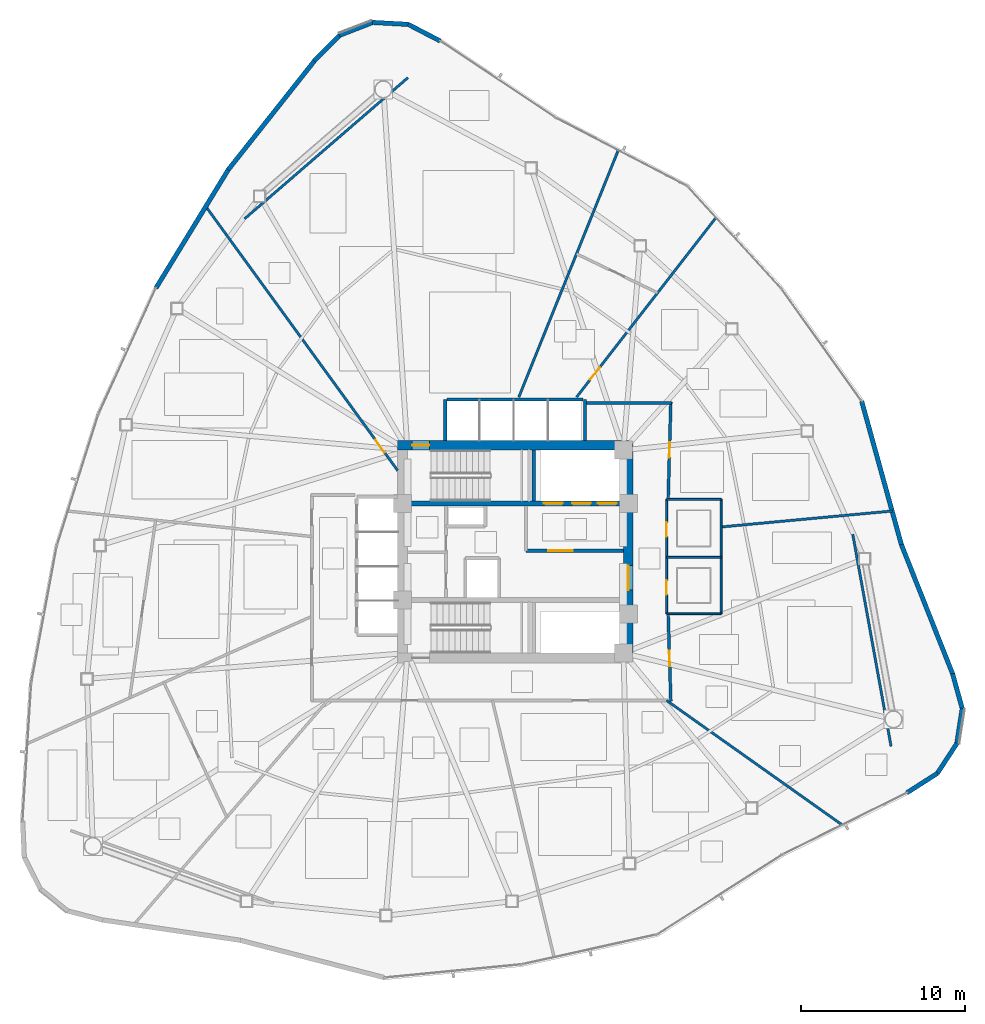
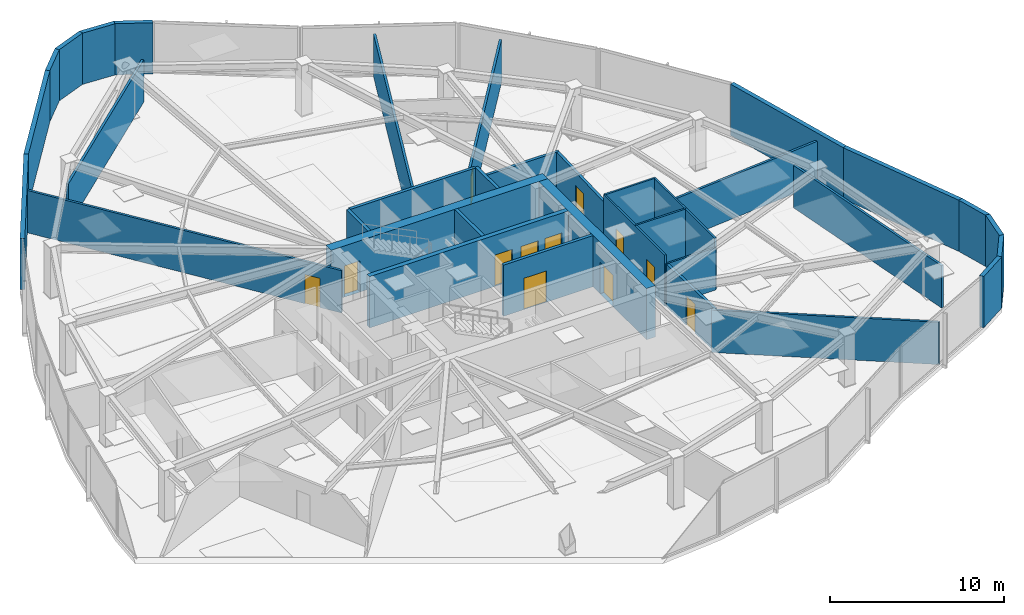
# One storey, part 13 of 18: 35 walls, 12 doors, 12 openings.
"""IFC4 building model written with IfcOpenShell, lengths in metres."""

from ifc_helpers import new_model, si_unit, direction, frame, frame_2d, origin, place, context, subcontext, project, spatial, rectangle, extrude, material, layer, layer_set, type_object, element, fill, save


model = new_model("IFC4")

# Units and contexts
model_context = context("Model", 3, precision=1e-05, world=origin(), true_north=direction((0.0, 1.0)))
body_context = subcontext(model_context, "Body", "Model", "MODEL_VIEW")
ifc_project = project(units=[si_unit("LENGTHUNIT", "METRE"), si_unit("AREAUNIT", "SQUARE_METRE"), si_unit("VOLUMEUNIT", "CUBIC_METRE"), si_unit("PLANEANGLEUNIT", "RADIAN"), si_unit("MASSUNIT", "GRAM", prefix="KILO")], contexts=[model_context])

# Site, building, storey
site_placement = place(None, origin())
site = spatial("IfcSite", under=ifc_project, at=site_placement, CompositionType="ELEMENT")
building_placement = place(site_placement, origin())
building = spatial("IfcBuilding", under=site, at=building_placement, Name="Tavelor Broadcast Tower", CompositionType="ELEMENT")
storey_placement = place(building_placement, frame((0.0, 0.0, 62.699951171875)))
storey = spatial("IfcBuildingStorey", under=building, at=storey_placement, Name="L14", CompositionType="ELEMENT", Elevation=62.699951171875)

# Wall, opening, door
ifc_material_1 = material(Name="Concrete C60/75", Category="concrete")
ifc_layer_1 = layer(ifc_material_1, 0.60009765625)
ifc_layer_set_1 = layer_set([ifc_layer_1], Name="Concrete C60/75")
wall_type_1 = type_object("IfcWallType", Name="Core Shear Wall 600 mm", PredefinedType="SHEAR", material=ifc_layer_set_1)
wall_1_placement = place(storey_placement, frame((42.800048828125, 51.5, 0.0), z_axis=(0.0, 0.0, 1.0), x_axis=(1.0, 0.0, 0.0)))
wall_1 = element("IfcWall", 1, at=wall_1_placement, inside=storey, type_object=wall_type_1, Name="L14 Central Core Shear Wall N", PredefinedType="SHEAR", context=body_context, shape_type="SweptSolid", body=[
    extrude(rectangle(XDim=14.39990234375, YDim=0.60009765625, at=frame_2d((7.199951171875, 0.0))), origin(), (0.0, 0.0, 1.0), 3.60009765625),
])
opening_1_placement = place(wall_1_placement, frame((0.8798828125, 0.0, 0.0)))
opening_1 = element("IfcOpeningElement", 2, at=opening_1_placement, cuts=wall_1, Name="Opening DR11", PredefinedType="OPENING", context=body_context, shape_type="SweptSolid", body=[
    extrude(rectangle(XDim=1.050048828125, YDim=2.199951171875, at=frame_2d((0.52490234375, 1.10009765625))), frame((0.0, 0.31005859375, 0.0), z_axis=(0.0, -1.0, 0.0), x_axis=(1.0, 0.0, 0.0)), (0.0, 0.0, 1.0), 0.6201171875),
])
ifc_material_2 = material(Name="Steel S355", Category="steel")
door_type_1 = type_object("IfcDoorType", Name="Stair Core Fire Escape Door 1050x2200", OperationType="NOTDEFINED", PredefinedType="DOOR", material=ifc_material_2)
door_1_placement = place(opening_1_placement, origin())
door_1 = element("IfcDoor", 3, at=door_1_placement, inside=storey, type_object=door_type_1, Name="L14 Stair ST1 Protected Exit Door", OperationType="SINGLE_SWING_LEFT", OverallHeight=2.199951171875, OverallWidth=1.050048828125, PredefinedType="DOOR", context=body_context, shape_type="SweptSolid", body=[
    extrude(rectangle(XDim=1.050048828125, YDim=2.199951171875, at=frame_2d((0.52490234375, 1.10009765625))), frame((0.0, 0.02490234375, 0.0), z_axis=(0.0, -1.0, 0.0), x_axis=(1.0, 0.0, 0.0)), (0.0, 0.0, 1.0), 0.050048828125),
])
fill(opening_1, door_1)

wall_2_placement = place(storey_placement, frame((56.89990234375, 38.800048828125, 0.0), z_axis=(0.0, 0.0, 1.0), x_axis=(0.0, 1.0, 0.0)))
wall_2 = element("IfcWall", 4, at=wall_2_placement, inside=storey, type_object=wall_type_1, Name="L14 Central Core Shear Wall E", PredefinedType="SHEAR", context=body_context, shape_type="SweptSolid", body=[
    extrude(rectangle(XDim=12.39990234375, YDim=0.60009765625, at=frame_2d((6.199951171875, 0.0))), origin(), (0.0, 0.0, 1.0), 3.60009765625),
])
opening_2_placement = place(wall_2_placement, frame((3.85009765625, 0.0, 0.0)))
opening_2 = element("IfcOpeningElement", 5, at=opening_2_placement, cuts=wall_2, Name="Opening DR14", PredefinedType="OPENING", context=body_context, shape_type="SweptSolid", body=[
    extrude(rectangle(XDim=1.5, YDim=2.199951171875, at=frame_2d((0.75, 1.10009765625))), frame((0.0, 0.31005859375, 0.0), z_axis=(0.0, -1.0, 0.0), x_axis=(1.0, 0.0, 0.0)), (0.0, 0.0, 1.0), 0.6201171875),
])
door_type_2 = type_object("IfcDoorType", Name="Firefighting Lobby Double Fire Door 1500x2200", OperationType="NOTDEFINED", PredefinedType="DOOR", material=ifc_material_2)
door_2_placement = place(opening_2_placement, origin())
door_2 = element("IfcDoor", 6, at=door_2_placement, inside=storey, type_object=door_type_2, Name="L14 Central Core Lobby Fire Door", OperationType="SINGLE_SWING_RIGHT", OverallHeight=2.199951171875, OverallWidth=1.5, PredefinedType="DOOR", context=body_context, shape_type="SweptSolid", body=[
    extrude(rectangle(XDim=1.5, YDim=2.199951171875, at=frame_2d((0.75, 1.10009765625))), frame((0.0, 0.02490234375, 0.0), z_axis=(0.0, -1.0, 0.0), x_axis=(1.0, 0.0, 0.0)), (0.0, 0.0, 1.0), 0.050048828125),
])
fill(opening_2, door_2)

# Wall, openings, doors
ifc_layer_2 = layer(ifc_material_1, 0.300048828125)
ifc_layer_set_2 = layer_set([ifc_layer_2], Name="Concrete C60/75")
wall_type_2 = type_object("IfcWallType", Name="Core Spine Shear Wall 300 mm C60", PredefinedType="SHEAR", material=ifc_layer_set_2)
wall_3_placement = place(storey_placement, frame((43.39990234375, 47.949951171875, 0.0), z_axis=(0.0, 0.0, 1.0), x_axis=(1.0, 0.0, 0.0)))
wall_3 = element("IfcWall", 7, at=wall_3_placement, inside=storey, type_object=wall_type_2, Name="L14 Central Core Shear Wall SP1", PredefinedType="SHEAR", context=body_context, shape_type="SweptSolid", body=[
    extrude(rectangle(XDim=13.2001953125, YDim=0.300048828125, at=frame_2d((6.60009765625, 0.0))), origin(), (0.0, 0.0, 1.0), 3.60009765625),
])
opening_3_placement = place(wall_3_placement, frame((8.344970703125, 0.0, 0.0)))
opening_3 = element("IfcOpeningElement", 8, at=opening_3_placement, cuts=wall_3, Name="Opening LD02", PredefinedType="OPENING", context=body_context, shape_type="SweptSolid", body=[
    extrude(rectangle(XDim=1.14990234375, YDim=2.199951171875, at=frame_2d((0.574951171875, 1.10009765625))), frame((0.0, 0.16015625, 0.0), z_axis=(0.0, -1.0, 0.0), x_axis=(1.0, 0.0, 0.0)), (0.0, 0.0, 1.0), 0.320068359375),
])
opening_4_placement = place(wall_3_placement, frame((10.06494140625, 0.0, 0.0)))
opening_4 = element("IfcOpeningElement", 9, at=opening_4_placement, cuts=wall_3, Name="Opening LD02", PredefinedType="OPENING", context=body_context, shape_type="SweptSolid", body=[
    extrude(rectangle(XDim=1.14990234375, YDim=2.199951171875, at=frame_2d((0.574951171875, 1.10009765625))), frame((0.0, 0.16015625, 0.0), z_axis=(0.0, -1.0, 0.0), x_axis=(1.0, 0.0, 0.0)), (0.0, 0.0, 1.0), 0.320068359375),
])
opening_5_placement = place(wall_3_placement, frame((11.64501953125, 0.0, 0.0)))
opening_5 = element("IfcOpeningElement", 10, at=opening_5_placement, cuts=wall_3, Name="Opening LD03", PredefinedType="OPENING", context=body_context, shape_type="SweptSolid", body=[
    extrude(rectangle(XDim=1.14990234375, YDim=2.199951171875, at=frame_2d((0.574951171875, 1.10009765625))), frame((0.0, 0.16015625, 0.0), z_axis=(0.0, -1.0, 0.0), x_axis=(1.0, 0.0, 0.0)), (0.0, 0.0, 1.0), 0.320068359375),
])
ifc_material_3 = material(Name="Reinforced Brushed Stainless Steel", Category="concrete")
door_type_3 = type_object("IfcDoorType", Name="Broadcast Goods Lift Sliding Landing Door 1250x2200", OperationType="NOTDEFINED", PredefinedType="DOOR", material=ifc_material_3)
door_3_placement = place(opening_5_placement, origin())
door_3 = element("IfcDoor", 11, at=door_3_placement, inside=storey, type_object=door_type_3, Name="L14 Lift SVL1 Sliding Landing Door", OperationType="SLIDING_TO_LEFT", OverallHeight=2.199951171875, OverallWidth=1.14990234375, PredefinedType="DOOR", context=body_context, shape_type="SweptSolid", body=[
    extrude(rectangle(XDim=1.14990234375, YDim=2.199951171875, at=frame_2d((0.574951171875, 1.10009765625))), frame((0.0, 0.02490234375, 0.0), z_axis=(0.0, -1.0, 0.0), x_axis=(1.0, 0.0, 0.0)), (0.0, 0.0, 1.0), 0.050048828125),
])
fill(opening_5, door_3)
ifc_material_4 = material(Name="Fire-Rated Stainless Steel", Category="steel")
door_type_4 = type_object("IfcDoorType", Name="Firefighting Lift Sliding Landing Door 1200x2200", OperationType="NOTDEFINED", PredefinedType="DOOR", material=ifc_material_4)
door_4_placement = place(opening_3_placement, origin())
door_4 = element("IfcDoor", 12, at=door_4_placement, inside=storey, type_object=door_type_4, Name="L14 Lift FFL1 Sliding Landing Door", OperationType="SLIDING_TO_LEFT", OverallHeight=2.199951171875, OverallWidth=1.14990234375, PredefinedType="DOOR", context=body_context, shape_type="SweptSolid", body=[
    extrude(rectangle(XDim=1.14990234375, YDim=2.199951171875, at=frame_2d((0.574951171875, 1.10009765625))), frame((0.0, 0.02490234375, 0.0), z_axis=(0.0, -1.0, 0.0), x_axis=(1.0, 0.0, 0.0)), (0.0, 0.0, 1.0), 0.050048828125),
])
fill(opening_3, door_4)
door_5_placement = place(opening_4_placement, origin())
door_5 = element("IfcDoor", 13, at=door_5_placement, inside=storey, type_object=door_type_4, Name="L14 Lift FFL2 Sliding Landing Door", OperationType="SLIDING_TO_LEFT", OverallHeight=2.199951171875, OverallWidth=1.14990234375, PredefinedType="DOOR", context=body_context, shape_type="SweptSolid", body=[
    extrude(rectangle(XDim=1.14990234375, YDim=2.199951171875, at=frame_2d((0.574951171875, 1.10009765625))), frame((0.0, 0.02490234375, 0.0), z_axis=(0.0, -1.0, 0.0), x_axis=(1.0, 0.0, 0.0)), (0.0, 0.0, 1.0), 0.050048828125),
])
fill(opening_4, door_5)

# Wall
ifc_material_5 = material(Name="Calcium Silicate Fire Board 180 mm", Category="gypsum")
ifc_layer_3 = layer(ifc_material_5, 0.179931640625)
ifc_layer_set_3 = layer_set([ifc_layer_3], Name="Calcium Silicate Fire Board 180 mm")
wall_type_3 = type_object("IfcWallType", Name="Fire-Rated Corridor Partition Wall 180 mm", PredefinedType="PARTITIONING", material=ifc_layer_set_3)
wall_4_placement = place(storey_placement, frame((54.300048828125, 54.10009765625, 0.0), z_axis=(0.0, 0.0, 1.0), x_axis=(1.0, 0.0, 0.0)))
element("IfcWall", 14, at=wall_4_placement, inside=storey, type_object=wall_type_3, Name="L14 Corridor Compartment Wall 01", PredefinedType="PARTITIONING", context=body_context, shape_type="SweptSolid", body=[
    extrude(rectangle(XDim=5.25, YDim=0.179931640625, at=frame_2d((2.625, 0.0))), origin(), (0.0, 0.0, 1.0), 2.97509765625),
])

# Wall, opening, door
wall_5_placement = place(storey_placement, frame((59.50146484375, 54.14990234375, 0.0), z_axis=(0.0, 0.0, 1.0), x_axis=(-0.027367567602, -0.999625437973, 0.0)))
wall_5 = element("IfcWall", 15, at=wall_5_placement, inside=storey, type_object=wall_type_3, Name="L14 Corridor Compartment Wall 02", PredefinedType="PARTITIONING", context=body_context, shape_type="SweptSolid", body=[
    extrude(rectangle(XDim=5.85205078125, YDim=0.179931640625, at=frame_2d((2.926025390625, 0.0))), origin(), (0.0, 0.0, 1.0), 2.97509765625),
])
opening_6_placement = place(wall_5_placement, frame((2.451171875, 0.0, 0.0)))
opening_6 = element("IfcOpeningElement", 16, at=opening_6_placement, cuts=wall_5, Name="Opening DR18", PredefinedType="OPENING", context=body_context, shape_type="SweptSolid", body=[
    extrude(rectangle(XDim=0.949951171875, YDim=2.050048828125, at=frame_2d((0.47509765625, 1.02490234375))), frame((0.0, 0.10009765625, 0.0), z_axis=(0.0, -1.0, 0.0), x_axis=(1.0, 0.0, 0.0)), (0.0, 0.0, 1.0), 0.199951171875),
])
ifc_material_6 = material(Name="Timber Solid Core Hardwood", Category="wood")
door_type_5 = type_object("IfcDoorType", Name="Corridor Rated Compartment Door 950x2050", OperationType="NOTDEFINED", PredefinedType="DOOR", material=ifc_material_6)
door_6_placement = place(opening_6_placement, origin())
door_6 = element("IfcDoor", 17, at=door_6_placement, inside=storey, type_object=door_type_5, Name="L14 Presenter Quiet Snug Door R6", OperationType="SINGLE_SWING_LEFT", OverallHeight=2.050048828125, OverallWidth=0.949951171875, PredefinedType="DOOR", context=body_context, shape_type="SweptSolid", body=[
    extrude(rectangle(XDim=0.949951171875, YDim=2.050048828125, at=frame_2d((0.47509765625, 1.02490234375))), frame((0.0, 0.02490234375, 0.0), z_axis=(0.0, -1.0, 0.0), x_axis=(1.0, 0.0, 0.0)), (0.0, 0.0, 1.0), 0.050048828125),
])
fill(opening_6, door_6)

wall_6_placement = place(storey_placement, frame((59.341552734375, 41.10009765625, 0.0), z_axis=(0.0, 0.0, 1.0), x_axis=(0.030445329425, -0.999536433511, 0.0)))
wall_6 = element("IfcWall", 18, at=wall_6_placement, inside=storey, type_object=wall_type_3, Name="L14 Corridor Compartment Wall 03", PredefinedType="PARTITIONING", context=body_context, shape_type="SweptSolid", body=[
    extrude(rectangle(XDim=5.25244140625, YDim=0.179931640625, at=frame_2d((2.626220703125, 0.0))), origin(), (0.0, 0.0, 1.0), 2.97509765625),
])
opening_7_placement = place(wall_6_placement, frame((2.151123046875, 0.0, 0.0)))
opening_7 = element("IfcOpeningElement", 19, at=opening_7_placement, cuts=wall_6, Name="Opening DR18", PredefinedType="OPENING", context=body_context, shape_type="SweptSolid", body=[
    extrude(rectangle(XDim=0.949951171875, YDim=2.050048828125, at=frame_2d((0.47509765625, 1.02490234375))), frame((0.0, 0.10009765625, 0.0), z_axis=(0.0, -1.0, 0.0), x_axis=(1.0, 0.0, 0.0)), (0.0, 0.0, 1.0), 0.199951171875),
])
door_7_placement = place(opening_7_placement, origin())
door_7 = element("IfcDoor", 20, at=door_7_placement, inside=storey, type_object=door_type_5, Name="L14 Broadcast Crew Room Door R7", OperationType="SINGLE_SWING_RIGHT", OverallHeight=2.050048828125, OverallWidth=0.949951171875, PredefinedType="DOOR", context=body_context, shape_type="SweptSolid", body=[
    extrude(rectangle(XDim=0.949951171875, YDim=2.050048828125, at=frame_2d((0.47509765625, 1.02490234375))), frame((0.0, 0.02490234375, 0.0), z_axis=(0.0, -1.0, 0.0), x_axis=(1.0, 0.0, 0.0)), (0.0, 0.0, 1.0), 0.050048828125),
])
fill(opening_7, door_7)

# Walls
ifc_material_7 = material(Name="Precast Concrete C40/50", Category="concrete")
ifc_layer_4 = layer(ifc_material_7, 0.280029296875)
ifc_layer_set_4 = layer_set([ifc_layer_4], Name="Precast Concrete C40/50")
wall_type_4 = type_object("IfcWallType", Name="Insulated Precast Terracotta Facade Wall 280 mm", PredefinedType="STANDARD", material=ifc_layer_set_4)
wall_7_placement = place(storey_placement, frame((45.3955078125, 76.2294921875, 0.0), z_axis=(0.0, 0.0, 1.0), x_axis=(-0.88741889112, 0.46096389412, 0.0)))
element("IfcWall", 21, at=wall_7_placement, inside=storey, type_object=wall_type_4, Name="L14 Rounded Corner Structural Cladding Pier 01", PredefinedType="STANDARD", context=body_context, shape_type="SweptSolid", body=[
    extrude(rectangle(XDim=2.21435546875, YDim=0.280029296875, at=frame_2d((1.107177734375, 0.0))), origin(), (0.0, 0.0, 1.0), 3.60009765625),
])
wall_8_placement = place(storey_placement, frame((43.458740234375, 77.242431640625, 0.0), z_axis=(0.0, 0.0, 1.0), x_axis=(-0.998487852216, 0.054972802164, 0.0)))
element("IfcWall", 22, at=wall_8_placement, inside=storey, type_object=wall_type_4, Name="L14 Rounded Corner Structural Cladding Pier 02", PredefinedType="STANDARD", context=body_context, shape_type="SweptSolid", body=[
    extrude(rectangle(XDim=2.202880859375, YDim=0.280029296875, at=frame_2d((1.1015625, 0.0))), origin(), (0.0, 0.0, 1.0), 3.60009765625),
])
wall_9_placement = place(storey_placement, frame((41.2880859375, 77.3681640625, 0.0), z_axis=(0.0, 0.0, 1.0), x_axis=(-0.932643913252, -0.360798186075, 0.0)))
element("IfcWall", 23, at=wall_9_placement, inside=storey, type_object=wall_type_4, Name="L14 Rounded Corner Structural Cladding Pier 03", PredefinedType="STANDARD", context=body_context, shape_type="SweptSolid", body=[
    extrude(rectangle(XDim=2.20263671875, YDim=0.280029296875, at=frame_2d((1.101318359375, 0.0))), origin(), (0.0, 0.0, 1.0), 3.60009765625),
])
wall_10_placement = place(storey_placement, frame((39.25830078125, 76.589599609375, 0.0), z_axis=(0.0, 0.0, 1.0), x_axis=(-0.70148940443, -0.712679882887, 0.0)))
element("IfcWall", 24, at=wall_10_placement, inside=storey, type_object=wall_type_4, Name="L14 Rounded Corner Structural Cladding Pier 04", PredefinedType="STANDARD", context=body_context, shape_type="SweptSolid", body=[
    extrude(rectangle(XDim=2.225341796875, YDim=0.280029296875, at=frame_2d((1.11279296875, 0.0))), origin(), (0.0, 0.0, 1.0), 3.60009765625),
])
wall_11_placement = place(storey_placement, frame((37.717041015625, 75.026123046875, 0.0), z_axis=(0.0, 0.0, 1.0), x_axis=(-0.620830009018, -0.783945214861, 0.0)))
element("IfcWall", 25, at=wall_11_placement, inside=storey, type_object=wall_type_4, Name="L14 Rounded Corner Structural Cladding Pier 05", PredefinedType="STANDARD", context=body_context, shape_type="SweptSolid", body=[
    extrude(rectangle(XDim=8.513427734375, YDim=0.280029296875, at=frame_2d((4.2568359375, 0.0))), origin(), (0.0, 0.0, 1.0), 3.60009765625),
])
wall_12_placement = place(storey_placement, frame((32.448974609375, 68.37646484375, 0.0), z_axis=(0.0, 0.0, 1.0), x_axis=(-0.521417484471, -0.853301709179, 0.0)))
element("IfcWall", 26, at=wall_12_placement, inside=storey, type_object=wall_type_4, Name="L14 Rounded Corner Structural Cladding Pier 06", PredefinedType="STANDARD", context=body_context, shape_type="SweptSolid", body=[
    extrude(rectangle(XDim=8.50146484375, YDim=0.280029296875, at=frame_2d((4.250732421875, 0.0))), origin(), (0.0, 0.0, 1.0), 3.60009765625),
])
wall_13_placement = place(storey_placement, frame((73.947998046875, 30.255126953125, 0.0), z_axis=(0.0, 0.0, 1.0), x_axis=(0.842911570309, 0.538052120746, 0.0)))
element("IfcWall", 27, at=wall_13_placement, inside=storey, type_object=wall_type_4, Name="L14 Rounded Corner Structural Cladding Pier 21", PredefinedType="STANDARD", context=body_context, shape_type="SweptSolid", body=[
    extrude(rectangle(XDim=2.21435546875, YDim=0.280029296875, at=frame_2d((1.107177734375, 0.0))), origin(), (0.0, 0.0, 1.0), 3.60009765625),
])
wall_14_placement = place(storey_placement, frame((75.793701171875, 31.42578125, 0.0), z_axis=(0.0, 0.0, 1.0), x_axis=(0.546720718909, 0.837315027642, 0.0)))
element("IfcWall", 28, at=wall_14_placement, inside=storey, type_object=wall_type_4, Name="L14 Rounded Corner Structural Cladding Pier 22", PredefinedType="STANDARD", context=body_context, shape_type="SweptSolid", body=[
    extrude(rectangle(XDim=2.202880859375, YDim=0.280029296875, at=frame_2d((1.1015625, 0.0))), origin(), (0.0, 0.0, 1.0), 3.60009765625),
])
wall_15_placement = place(storey_placement, frame((76.987548828125, 33.242919921875, 0.0), z_axis=(0.0, 0.0, 1.0), x_axis=(0.153839269679, 0.988095885582, 0.0)))
element("IfcWall", 29, at=wall_15_placement, inside=storey, type_object=wall_type_4, Name="L14 Rounded Corner Structural Cladding Pier 23", PredefinedType="STANDARD", context=body_context, shape_type="SweptSolid", body=[
    extrude(rectangle(XDim=2.20263671875, YDim=0.280029296875, at=frame_2d((1.101318359375, 0.0))), origin(), (0.0, 0.0, 1.0), 3.60009765625),
])
wall_16_placement = place(storey_placement, frame((77.328125, 35.39013671875, 0.0), z_axis=(0.0, 0.0, 1.0), x_axis=(-0.266393052341, 0.963864483039, 0.0)))
element("IfcWall", 30, at=wall_16_placement, inside=storey, type_object=wall_type_4, Name="L14 Rounded Corner Structural Cladding Pier 24", PredefinedType="STANDARD", context=body_context, shape_type="SweptSolid", body=[
    extrude(rectangle(XDim=2.22509765625, YDim=0.280029296875, at=frame_2d((1.112548828125, 0.0))), origin(), (0.0, 0.0, 1.0), 3.60009765625),
])
wall_17_placement = place(storey_placement, frame((76.744873046875, 37.506591796875, 0.0), z_axis=(0.0, 0.0, 1.0), x_axis=(-0.368496930079, 0.929628964976, 0.0)))
element("IfcWall", 31, at=wall_17_placement, inside=storey, type_object=wall_type_4, Name="L14 Rounded Corner Structural Cladding Pier 25", PredefinedType="STANDARD", context=body_context, shape_type="SweptSolid", body=[
    extrude(rectangle(XDim=8.529541015625, YDim=0.280029296875, at=frame_2d((4.2646484375, 0.0))), origin(), (0.0, 0.0, 1.0), 3.60009765625),
])
wall_18_placement = place(storey_placement, frame((73.611083984375, 45.407470703125, 0.0), z_axis=(0.0, 0.0, 1.0), x_axis=(-0.266889795183, 0.963727055357, 0.0)))
element("IfcWall", 32, at=wall_18_placement, inside=storey, type_object=wall_type_4, Name="L14 Rounded Corner Structural Cladding Pier 26", PredefinedType="STANDARD", context=body_context, shape_type="SweptSolid", body=[
    extrude(rectangle(XDim=9.118408203125, YDim=0.280029296875, at=frame_2d((4.55908203125, 0.0))), origin(), (0.0, 0.0, 1.0), 3.60009765625),
])
ifc_material_8 = material(Name="Gypsum Acoustic Plasterboard 150 mm", Category="gypsum")
ifc_layer_5 = layer(ifc_material_8, 0.14990234375)
ifc_layer_set_5 = layer_set([ifc_layer_5], Name="Gypsum Acoustic Plasterboard 150 mm")
wall_type_5 = type_object("IfcWallType", Name="Interior Acoustic Partition Wall 150 mm", PredefinedType="PARTITIONING", material=ifc_layer_set_5)
wall_19_placement = place(storey_placement, frame((43.42138671875, 73.9794921875, 0.0), z_axis=(0.0, 0.0, 1.0), x_axis=(-0.756659135409, -0.653809569218, 0.0)))
element("IfcWall", 33, at=wall_19_placement, inside=storey, type_object=wall_type_5, Name="L14 Corner Tube Brace Furring Wall 1", PredefinedType="PARTITIONING", context=body_context, shape_type="SweptSolid", body=[
    extrude(rectangle(XDim=13.200439453125, YDim=0.14990234375, at=frame_2d((6.60009765625, 0.0))), origin(), (0.0, 0.0, 1.0), 2.97509765625),
])
wall_20_placement = place(storey_placement, frame((72.96923828125, 33.09130859375, 0.0), z_axis=(0.0, 0.0, 1.0), x_axis=(-0.177742578179, 0.984077017261, 0.0)))
element("IfcWall", 34, at=wall_20_placement, inside=storey, type_object=wall_type_5, Name="L14 Corner Tube Brace Furring Wall 3", PredefinedType="PARTITIONING", context=body_context, shape_type="SweptSolid", body=[
    extrude(rectangle(XDim=13.179443359375, YDim=0.14990234375, at=frame_2d((6.58984375, 0.0))), origin(), (0.0, 0.0, 1.0), 2.97509765625),
])

# Wall, opening, door
wall_21_placement = place(storey_placement, frame((42.800048828125, 49.955078125, 0.0), z_axis=(0.0, 0.0, 1.0), x_axis=(-0.587790891167, 0.809012897463, 0.0)))
wall_21 = element("IfcWall", 35, at=wall_21_placement, inside=storey, type_object=wall_type_5, Name="L14 Radial Compartment Wall 01", PredefinedType="PARTITIONING", context=body_context, shape_type="SweptSolid", body=[
    extrude(rectangle(XDim=19.978515625, YDim=0.14990234375, at=frame_2d((9.9892578125, 0.0))), origin(), (0.0, 0.0, 1.0), 2.97509765625),
])
opening_8_placement = place(wall_21_placement, frame((1.35009765625, 0.0, 0.0)))
opening_8 = element("IfcOpeningElement", 36, at=opening_8_placement, cuts=wall_21, Name="Opening DR18", PredefinedType="OPENING", context=body_context, shape_type="SweptSolid", body=[
    extrude(rectangle(XDim=0.949951171875, YDim=2.050048828125, at=frame_2d((0.47509765625, 1.02490234375))), frame((0.0, 0.0849609375, 0.0), z_axis=(0.0, -1.0, 0.0), x_axis=(1.0, 0.0, 0.0)), (0.0, 0.0, 1.0), 0.169921875),
])
door_8_placement = place(opening_8_placement, origin())
door_8 = element("IfcDoor", 37, at=door_8_placement, inside=storey, type_object=door_type_5, Name="L14 Suite Connecting Door 4", OperationType="SINGLE_SWING_RIGHT", OverallHeight=2.050048828125, OverallWidth=0.949951171875, PredefinedType="DOOR", context=body_context, shape_type="SweptSolid", body=[
    extrude(rectangle(XDim=0.949951171875, YDim=2.050048828125, at=frame_2d((0.47509765625, 1.02490234375))), frame((0.0, 0.02490234375, 0.0), z_axis=(0.0, -1.0, 0.0), x_axis=(1.0, 0.0, 0.0)), (0.0, 0.0, 1.0), 0.050048828125),
])
fill(opening_8, door_8)

# Walls
wall_22_placement = place(storey_placement, frame((59.240234375, 35.89990234375, 0.0), z_axis=(0.0, 0.0, 1.0), x_axis=(0.815883884658, -0.578215778716, 0.0)))
element("IfcWall", 38, at=wall_22_placement, inside=storey, type_object=wall_type_5, Name="L14 Radial Compartment Wall 06", PredefinedType="PARTITIONING", context=body_context, shape_type="SweptSolid", body=[
    extrude(rectangle(XDim=13.17529296875, YDim=0.14990234375, at=frame_2d((6.587646484375, 0.0))), origin(), (0.0, 0.0, 1.0), 2.97509765625),
])
wall_23_placement = place(storey_placement, frame((62.64990234375, 46.5146484375, 0.0), z_axis=(0.0, 0.0, 1.0), x_axis=(0.995682440143, 0.092824987962, 0.0)))
element("IfcWall", 39, at=wall_23_placement, inside=storey, type_object=wall_type_5, Name="L14 Radial Compartment Wall 07", PredefinedType="PARTITIONING", context=body_context, shape_type="SweptSolid", body=[
    extrude(rectangle(XDim=10.441650390625, YDim=0.14990234375, at=frame_2d((5.220703125, 0.0))), origin(), (0.0, 0.0, 1.0), 3.025146484375),
])

# Wall, opening, door
wall_24_placement = place(storey_placement, frame((53.739990234375, 54.449951171875, 0.0), z_axis=(0.0, 0.0, 1.0), x_axis=(0.613423233684, 0.78975435192, 0.0)))
wall_24 = element("IfcWall", 40, at=wall_24_placement, inside=storey, type_object=wall_type_5, Name="L14 Radial Compartment Wall 08", PredefinedType="PARTITIONING", context=body_context, shape_type="SweptSolid", body=[
    extrude(rectangle(XDim=13.92041015625, YDim=0.14990234375, at=frame_2d((6.960205078125, 0.0))), origin(), (0.0, 0.0, 1.0), 2.97509765625),
])
opening_9_placement = place(wall_24_placement, frame((1.35009765625, 0.0, 0.0)))
opening_9 = element("IfcOpeningElement", 41, at=opening_9_placement, cuts=wall_24, Name="Opening DR18", PredefinedType="OPENING", context=body_context, shape_type="SweptSolid", body=[
    extrude(rectangle(XDim=0.949951171875, YDim=2.050048828125, at=frame_2d((0.47509765625, 1.02490234375))), frame((0.0, 0.0849609375, 0.0), z_axis=(0.0, -1.0, 0.0), x_axis=(1.0, 0.0, 0.0)), (0.0, 0.0, 1.0), 0.169921875),
])
door_9_placement = place(opening_9_placement, origin())
door_9 = element("IfcDoor", 42, at=door_9_placement, inside=storey, type_object=door_type_5, Name="L14 Suite Connecting Door 9", OperationType="SINGLE_SWING_LEFT", OverallHeight=2.050048828125, OverallWidth=0.949951171875, PredefinedType="DOOR", context=body_context, shape_type="SweptSolid", body=[
    extrude(rectangle(XDim=0.949951171875, YDim=2.050048828125, at=frame_2d((0.47509765625, 1.02490234375))), frame((0.0, 0.02490234375, 0.0), z_axis=(0.0, -1.0, 0.0), x_axis=(1.0, 0.0, 0.0)), (0.0, 0.0, 1.0), 0.050048828125),
])
fill(opening_9, door_9)

# Walls
wall_25_placement = place(storey_placement, frame((50.20654296875, 54.449951171875, 0.0), z_axis=(0.0, 0.0, 1.0), x_axis=(0.373649555397, 0.927569948711, 0.0)))
element("IfcWall", 43, at=wall_25_placement, inside=storey, type_object=wall_type_5, Name="L14 Radial Compartment Wall 09", PredefinedType="PARTITIONING", context=body_context, shape_type="SweptSolid", body=[
    extrude(rectangle(XDim=16.278564453125, YDim=0.14990234375, at=frame_2d((8.13916015625, 0.0))), origin(), (0.0, 0.0, 1.0), 2.97509765625),
])
ifc_material_9 = material(Name="Concrete Blockwork 200 mm", Category="masonry")
ifc_layer_6 = layer(ifc_material_9, 0.199951171875)
ifc_layer_set_6 = layer_set([ifc_layer_6], Name="Concrete Blockwork 200 mm")
wall_type_6 = type_object("IfcWallType", Name="Lift Hoistway Rated Front Wall 200 mm", PredefinedType="PARTITIONING", material=ifc_layer_set_6)
wall_26_placement = place(storey_placement, frame((45.820068359375, 54.300048828125, 0.0), z_axis=(0.0, 0.0, 1.0), x_axis=(1.0, 0.0, 0.0)))
element("IfcWall", 44, at=wall_26_placement, inside=storey, type_object=wall_type_6, Name="L14 High-Rise Lift Hoistway Front Wall", PredefinedType="PARTITIONING", context=body_context, shape_type="SweptSolid", body=[
    extrude(rectangle(XDim=8.309814453125, YDim=0.199951171875, at=frame_2d((4.15478515625, 0.0))), origin(), (0.0, 0.0, 1.0), 3.60009765625),
])
ifc_layer_7 = layer(ifc_material_9, 0.199951171875)
ifc_layer_set_7 = layer_set([ifc_layer_7], Name="Concrete Blockwork 200 mm")
wall_type_7 = type_object("IfcWallType", Name="Lift and Riser Shaft Enclosure Wall 200 mm", PredefinedType="PARTITIONING", material=ifc_layer_set_7)
for number, where, z_axis, x_axis, name in (
    (45, (45.699951171875, 51.800048828125, 0.0), (0.0, 0.0, 1.0), (0.0, 1.0, 0.0), "L14 High-Rise Lift Shaft West Wall"),
    (46, (54.25, 51.800048828125, 0.0), (0.0, 0.0, 1.0), (0.0, 1.0, 0.0), "L14 High-Rise Lift Shaft East Wall"),
):
    element("IfcWall", number, at=place(storey_placement, frame(where, z_axis=z_axis, x_axis=x_axis)), inside=storey, type_object=wall_type_7, Name=name, PredefinedType="PARTITIONING", context=body_context, shape_type="SweptSolid", body=[
        extrude(rectangle(XDim=2.5, YDim=0.199951171875, at=frame_2d((1.25, 0.0))), origin(), (0.0, 0.0, 1.0), 3.60009765625),
    ])

# Wall, opening, door
wall_27_placement = place(storey_placement, frame((50.64990234375, 45.050048828125, 0.0), z_axis=(0.0, 0.0, 1.0), x_axis=(1.0, 0.0, 0.0)))
wall_27 = element("IfcWall", 47, at=wall_27_placement, inside=storey, type_object=wall_type_7, Name="L14 Firefighting Lobby South Wall", PredefinedType="PARTITIONING", context=body_context, shape_type="SweptSolid", body=[
    extrude(rectangle(XDim=5.9501953125, YDim=0.199951171875, at=frame_2d((2.97509765625, 0.0))), origin(), (0.0, 0.0, 1.0), 3.60009765625),
])
opening_10_placement = place(wall_27_placement, frame((1.35009765625, 0.0, 0.0)))
opening_10 = element("IfcOpeningElement", 48, at=opening_10_placement, cuts=wall_27, Name="Opening DR14", PredefinedType="OPENING", context=body_context, shape_type="SweptSolid", body=[
    extrude(rectangle(XDim=1.5, YDim=2.199951171875, at=frame_2d((0.75, 1.10009765625))), frame((0.0, 0.10986328125, 0.0), z_axis=(0.0, -1.0, 0.0), x_axis=(1.0, 0.0, 0.0)), (0.0, 0.0, 1.0), 0.219970703125),
])
door_10_placement = place(opening_10_placement, origin())
door_10 = element("IfcDoor", 49, at=door_10_placement, inside=storey, type_object=door_type_2, Name="L14 Firefighting Lobby Compartment Door", OperationType="SINGLE_SWING_LEFT", OverallHeight=2.199951171875, OverallWidth=1.5, PredefinedType="DOOR", context=body_context, shape_type="SweptSolid", body=[
    extrude(rectangle(XDim=1.5, YDim=2.199951171875, at=frame_2d((0.75, 1.10009765625))), frame((0.0, 0.02490234375, 0.0), z_axis=(0.0, -1.0, 0.0), x_axis=(1.0, 0.0, 0.0)), (0.0, 0.0, 1.0), 0.050048828125),
])
fill(opening_10, door_10)

# Wall, openings, doors
ifc_material_10 = material(Name="Moisture-Resistant Plasterboard 120 mm", Category="gypsum")
ifc_layer_8 = layer(ifc_material_10, 0.1201171875)
ifc_layer_set_8 = layer_set([ifc_layer_8], Name="Moisture-Resistant Plasterboard 120 mm")
wall_type_8 = type_object("IfcWallType", Name="Moisture-Resistant Wet-Room Partition 120 mm", PredefinedType="PARTITIONING", material=ifc_layer_set_8)
wall_28_placement = place(storey_placement, frame((59.239990234375, 41.199951171875, 0.0), z_axis=(0.0, 0.0, 1.0), x_axis=(0.0, 1.0, 0.0)))
wall_28 = element("IfcWall", 50, at=wall_28_placement, inside=storey, type_object=wall_type_8, Name="L14 Floor Washrooms West Wall", PredefinedType="PARTITIONING", context=body_context, shape_type="SweptSolid", body=[
    extrude(rectangle(XDim=7.0, YDim=0.1201171875, at=frame_2d((3.5, 0.0))), origin(), (0.0, 0.0, 1.0), 3.60009765625),
])
opening_11_placement = place(wall_28_placement, frame((1.14990234375, 0.0, 0.0)))
opening_11 = element("IfcOpeningElement", 51, at=opening_11_placement, cuts=wall_28, Name="Opening DR32", PredefinedType="OPENING", context=body_context, shape_type="SweptSolid", body=[
    extrude(rectangle(XDim=0.89990234375, YDim=2.050048828125, at=frame_2d((0.449951171875, 1.02490234375))), frame((0.0, 0.070068359375, 0.0), z_axis=(0.0, -1.0, 0.0), x_axis=(1.0, 0.0, 0.0)), (0.0, 0.0, 1.0), 0.14013671875),
])
opening_12_placement = place(wall_28_placement, frame((4.699951171875, 0.0, 0.0)))
opening_12 = element("IfcOpeningElement", 52, at=opening_12_placement, cuts=wall_28, Name="Opening DR32", PredefinedType="OPENING", context=body_context, shape_type="SweptSolid", body=[
    extrude(rectangle(XDim=0.89990234375, YDim=2.050048828125, at=frame_2d((0.449951171875, 1.02490234375))), frame((0.0, 0.070068359375, 0.0), z_axis=(0.0, -1.0, 0.0), x_axis=(1.0, 0.0, 0.0)), (0.0, 0.0, 1.0), 0.14013671875),
])
door_type_6 = type_object("IfcDoorType", Name="Accessible Washroom Door 900x2050", OperationType="NOTDEFINED", PredefinedType="DOOR", material=ifc_material_6)
door_11_placement = place(opening_11_placement, origin())
door_11 = element("IfcDoor", 53, at=door_11_placement, inside=storey, type_object=door_type_6, Name="L14 Accessible WC Door", OperationType="SINGLE_SWING_LEFT", OverallHeight=2.050048828125, OverallWidth=0.89990234375, PredefinedType="DOOR", context=body_context, shape_type="SweptSolid", body=[
    extrude(rectangle(XDim=0.89990234375, YDim=2.050048828125, at=frame_2d((0.449951171875, 1.02490234375))), frame((0.0, 0.02490234375, 0.0), z_axis=(0.0, -1.0, 0.0), x_axis=(1.0, 0.0, 0.0)), (0.0, 0.0, 1.0), 0.050048828125),
])
fill(opening_11, door_11)
door_12_placement = place(opening_12_placement, origin())
door_12 = element("IfcDoor", 54, at=door_12_placement, inside=storey, type_object=door_type_6, Name="L14 Staff Washroom WC Door", OperationType="SINGLE_SWING_RIGHT", OverallHeight=2.050048828125, OverallWidth=0.89990234375, PredefinedType="DOOR", context=body_context, shape_type="SweptSolid", body=[
    extrude(rectangle(XDim=0.89990234375, YDim=2.050048828125, at=frame_2d((0.449951171875, 1.02490234375))), frame((0.0, 0.02490234375, 0.0), z_axis=(0.0, -1.0, 0.0), x_axis=(1.0, 0.0, 0.0)), (0.0, 0.0, 1.0), 0.050048828125),
])
fill(opening_12, door_12)

# Walls
wall_29_placement = place(storey_placement, frame((59.239990234375, 41.199951171875, 0.0), z_axis=(0.0, 0.0, 1.0), x_axis=(1.0, 0.0, 0.0)))
element("IfcWall", 55, at=wall_29_placement, inside=storey, type_object=wall_type_8, Name="L14 Floor Washrooms South Wall", PredefinedType="PARTITIONING", context=body_context, shape_type="SweptSolid", body=[
    extrude(rectangle(XDim=3.340087890625, YDim=0.1201171875, at=frame_2d((1.669921875, 0.0))), origin(), (0.0, 0.0, 1.0), 2.97509765625),
])
for number, where, z_axis, x_axis, name in (
    (56, (59.239990234375, 44.64990234375, 0.0), (0.0, 0.0, 1.0), (1.0, 0.0, 0.0), "L14 Floor Washrooms Divider Wall"),
    (57, (59.239990234375, 48.199951171875, 0.0), (0.0, 0.0, 1.0), (1.0, 0.0, 0.0), "L14 Floor Washrooms North Wall"),
):
    element("IfcWall", number, at=place(storey_placement, frame(where, z_axis=z_axis, x_axis=x_axis)), inside=storey, type_object=wall_type_8, Name=name, PredefinedType="PARTITIONING", context=body_context, shape_type="SweptSolid", body=[
        extrude(rectangle(XDim=3.340087890625, YDim=0.1201171875, at=frame_2d((1.669921875, 0.0))), origin(), (0.0, 0.0, 1.0), 3.60009765625),
    ])
wall_30_placement = place(storey_placement, frame((62.580078125, 41.199951171875, 0.0), z_axis=(0.0, 0.0, 1.0), x_axis=(0.0, 1.0, 0.0)))
element("IfcWall", 58, at=wall_30_placement, inside=storey, type_object=wall_type_8, Name="L14 Floor Washrooms East Wall", PredefinedType="PARTITIONING", context=body_context, shape_type="SweptSolid", body=[
    extrude(rectangle(XDim=7.0, YDim=0.1201171875, at=frame_2d((3.5, 0.0))), origin(), (0.0, 0.0, 1.0), 3.60009765625),
])
ifc_material_11 = material(Name="Concrete C40/50", Category="concrete")
ifc_layer_9 = layer(ifc_material_11, 0.219970703125)
ifc_layer_set_9 = layer_set([ifc_layer_9], Name="Concrete C40/50")
wall_type_9 = type_object("IfcWallType", Name="Structural Stairwell Shear Wall 220 mm", PredefinedType="SHEAR", material=ifc_layer_set_9)
wall_31_placement = place(storey_placement, frame((51.110107421875, 48.10009765625, 0.0), z_axis=(0.0, 0.0, 1.0), x_axis=(0.0, 1.0, 0.0)))
element("IfcWall", 59, at=wall_31_placement, inside=storey, type_object=wall_type_9, Name="L14 Stair ST1 Structural Shaft Wall", PredefinedType="SHEAR", context=body_context, shape_type="SweptSolid", body=[
    extrude(rectangle(XDim=3.099853515625, YDim=0.219970703125, at=frame_2d((1.5498046875, 0.0))), origin(), (0.0, 0.0, 1.0), 3.60009765625),
])

save(model, "model.ifc")
